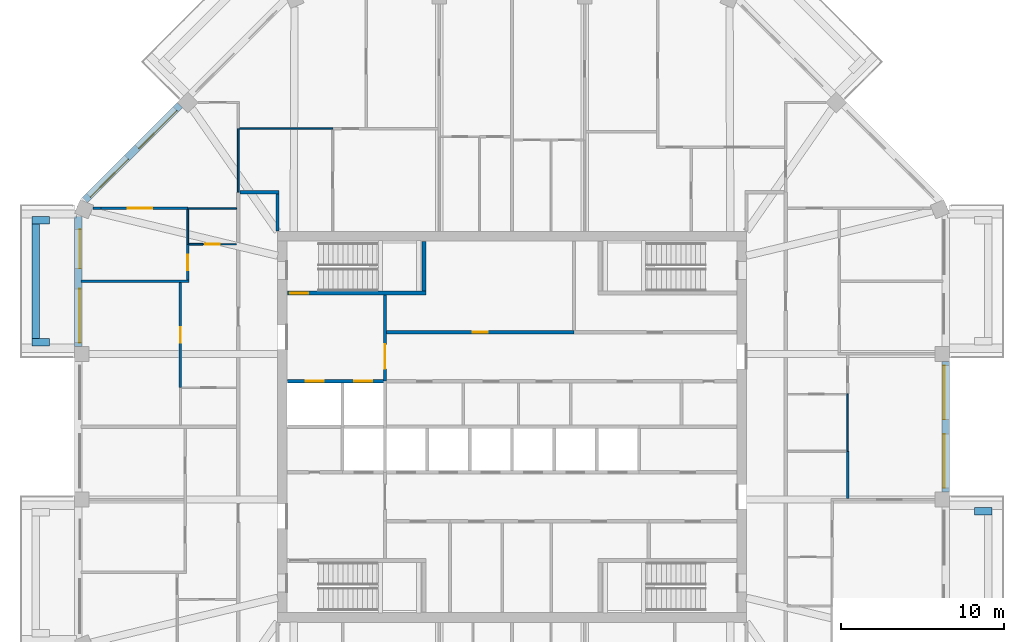
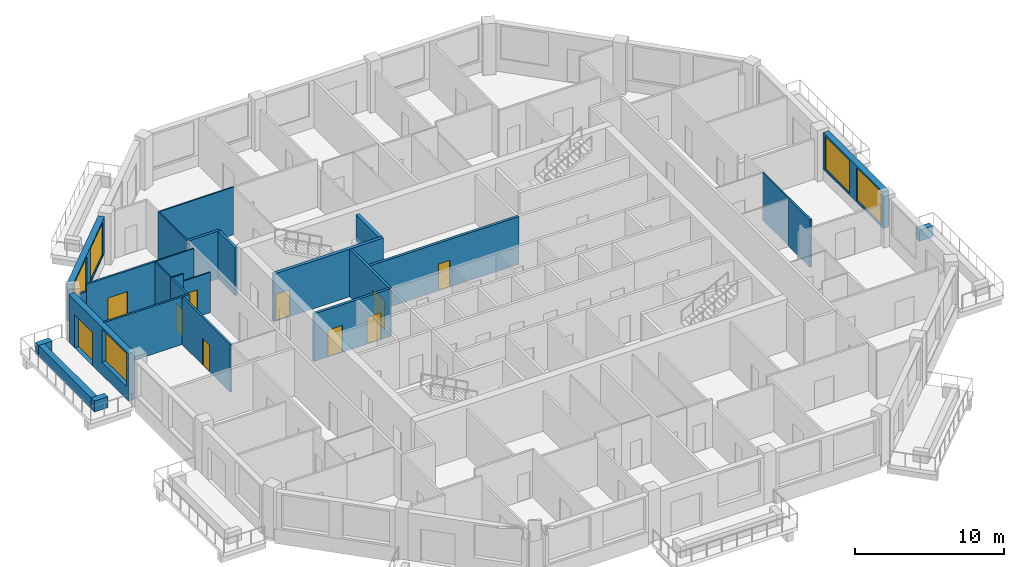
# One storey, part 7 of 12: 27 walls, 10 doors, 5 windows, 15 openings.
"""IFC4 building model written with IfcOpenShell, lengths in metres."""

from ifc_helpers import new_model, si_unit, direction, frame, frame_2d, origin, place, context, subcontext, project, spatial, rectangle, extrude, material, layer, layer_set, type_object, element, fill, save


model = new_model("IFC4")

# Units and contexts
model_context = context("Model", 3, precision=1e-05, world=origin(), true_north=direction((0.0, 1.0)))
body_context = subcontext(model_context, "Body", "Model", "MODEL_VIEW")
ifc_project = project(units=[si_unit("LENGTHUNIT", "METRE"), si_unit("AREAUNIT", "SQUARE_METRE"), si_unit("VOLUMEUNIT", "CUBIC_METRE"), si_unit("PLANEANGLEUNIT", "RADIAN"), si_unit("MASSUNIT", "GRAM", prefix="KILO")], contexts=[model_context])

# Site, building, storey
site_placement = place(None, origin())
site = spatial("IfcSite", under=ifc_project, at=site_placement, CompositionType="ELEMENT")
building_placement = place(site_placement, origin())
building = spatial("IfcBuilding", under=site, at=building_placement, Name="Msitu Wima Residences", CompositionType="ELEMENT")
storey_placement = place(building_placement, frame((0.0, 0.0, 310.5)))
storey = spatial("IfcBuildingStorey", under=building, at=storey_placement, Name="L72", CompositionType="ELEMENT", Elevation=310.5)

# Walls
ifc_material_1 = material(Name="Facing brick")
ifc_layer_1 = layer(ifc_material_1, 0.06494140625, Name="Facing brick")
ifc_material_2 = material(Name="Concrete C40/50", Category="concrete")
ifc_layer_2 = layer(ifc_material_2, 0.156005859375, Name="Concrete C40/50")
ifc_material_3 = material(Name="Waterproofing membrane")
ifc_layer_3 = layer(ifc_material_3, 0.00390625, Name="Waterproofing membrane")
ifc_material_4 = material(Name="Planting soil and planting")
ifc_layer_4 = layer(ifc_material_4, 0.22509765625, Name="Planting soil and planting")
ifc_layer_set_1 = layer_set([ifc_layer_1, ifc_layer_2, ifc_layer_3, ifc_layer_4], Name="Concrete C40/50")
wall_type_1 = type_object("IfcWallType", Name="Balcony planter PLANTER PL450", PredefinedType="USERDEFINED", material=ifc_layer_set_1)
wall_1_placement = place(storey_placement, frame((28.39990234375, -5.193603515625, 0.0), z_axis=(0.0, 0.0, 1.0), x_axis=(1.0, 0.0, 0.0)))
element("IfcWall", 1, at=wall_1_placement, inside=storey, type_object=wall_type_1, Name="Balcony planter E0 L72", ObjectType="PLANTER", PredefinedType="USERDEFINED", context=body_context, shape_type="SweptSolid", body=[
    extrude(rectangle(XDim=1.050048828125, YDim=0.449951171875, at=frame_2d((0.52490234375, 0.0))), origin(), (0.0, 0.0, 1.0), 0.89990234375),
])
wall_2_placement = place(storey_placement, frame((-29.22509765625, 12.455810546875, 0.0), z_axis=(0.0, 0.0, 1.0), x_axis=(0.0, -1.0, 0.0)))
element("IfcWall", 2, at=wall_2_placement, inside=storey, type_object=wall_type_1, Name="Balcony planter W0 L72", ObjectType="PLANTER", PredefinedType="USERDEFINED", context=body_context, shape_type="SweptSolid", body=[
    extrude(rectangle(XDim=7.037109375, YDim=0.449951171875, at=frame_2d((3.5185546875, 0.0))), origin(), (0.0, 0.0, 1.0), 0.89990234375),
])
for number, where, z_axis, x_axis, name in (
    (3, (-28.39990234375, 12.680908203125, 0.0), (0.0, 0.0, 1.0), (-1.0, 0.0, 0.0), "Balcony planter W0 L72"),
    (4, (-28.39990234375, 5.193603515625, 0.0), (0.0, 0.0, 1.0), (-1.0, 0.0, 0.0), "Balcony planter W0 L72"),
):
    element("IfcWall", number, at=place(storey_placement, frame(where, z_axis=z_axis, x_axis=x_axis)), inside=storey, type_object=wall_type_1, Name=name, ObjectType="PLANTER", PredefinedType="USERDEFINED", context=body_context, shape_type="SweptSolid", body=[
        extrude(rectangle(XDim=1.050048828125, YDim=0.449951171875, at=frame_2d((0.52490234375, 0.0))), origin(), (0.0, 0.0, 1.0), 0.89990234375),
    ])

# Wall, openings, windows
ifc_material_5 = material(Name="Brick (red buff mix)", Category="masonry")
ifc_layer_5 = layer(ifc_material_5, 0.449951171875)
ifc_layer_set_2 = layer_set([ifc_layer_5], Name="Brick (red buff mix)")
wall_type_2 = type_object("IfcWallType", Name="Brick infill wall BW450", PredefinedType="SOLIDWALL", material=ifc_layer_set_2)
wall_3_placement = place(storey_placement, frame((26.625, -4.0185546875, 0.89990234375), z_axis=(0.0, 0.0, 1.0), x_axis=(0.0, 1.0, 0.0)))
wall_3 = element("IfcWall", 5, at=wall_3_placement, inside=storey, type_object=wall_type_2, Name="Brick infill wall L72 E1", PredefinedType="SOLIDWALL", context=body_context, shape_type="SweptSolid", body=[
    extrude(rectangle(XDim=8.037109375, YDim=0.449951171875, at=frame_2d((4.0185546875, 0.0))), origin(), (0.0, 0.0, 1.0), 3.0),
])
opening_1_placement = place(wall_3_placement, frame((0.2685546875, 0.0, 0.14990234375)))
opening_1 = element("IfcOpeningElement", 6, at=opening_1_placement, cuts=wall_3, Name="Opening W72.002", PredefinedType="OPENING", context=body_context, shape_type="SweptSolid", body=[
    extrude(rectangle(XDim=3.300048828125, YDim=2.699951171875, at=frame_2d((1.64990234375, 1.35009765625))), frame((0.0, 0.23486328125, 0.0), z_axis=(0.0, -1.0, 0.0), x_axis=(1.0, 0.0, 0.0)), (0.0, 0.0, 1.0), 0.469970703125),
])
opening_2_placement = place(wall_3_placement, frame((4.46875, 0.0, 0.14990234375)))
opening_2 = element("IfcOpeningElement", 7, at=opening_2_placement, cuts=wall_3, Name="Opening W72.003", PredefinedType="OPENING", context=body_context, shape_type="SweptSolid", body=[
    extrude(rectangle(XDim=3.300048828125, YDim=2.699951171875, at=frame_2d((1.64990234375, 1.35009765625))), frame((0.0, 0.23486328125, 0.0), z_axis=(0.0, -1.0, 0.0), x_axis=(1.0, 0.0, 0.0)), (0.0, 0.0, 1.0), 0.469970703125),
])
ifc_material_6 = material(Name="Anodised aluminium, bronze finish, clear low-emissivity double glazing", Category="aluminium")
window_type = type_object("IfcWindowType", Name="Window W3300x2700", PartitioningType="DOUBLE_PANEL_VERTICAL", PredefinedType="WINDOW", material=ifc_material_6)
window_1_placement = place(opening_1_placement, origin())
window_1 = element("IfcWindow", 8, at=window_1_placement, inside=storey, type_object=window_type, Name="Window L72 E1.1", OverallHeight=2.699951171875, OverallWidth=3.300048828125, PartitioningType="SINGLE_PANEL", PredefinedType="WINDOW", context=body_context, shape_type="SweptSolid", body=[
    extrude(rectangle(XDim=3.300048828125, YDim=2.699951171875, at=frame_2d((1.64990234375, 1.35009765625))), frame((0.0, 0.135009765625, 0.0), z_axis=(0.0, -1.0, 0.0), x_axis=(1.0, 0.0, 0.0)), (0.0, 0.0, 1.0), 0.06005859375),
])
fill(opening_1, window_1)
window_2_placement = place(opening_2_placement, origin())
window_2 = element("IfcWindow", 9, at=window_2_placement, inside=storey, type_object=window_type, Name="Window L72 E1.2", OverallHeight=2.699951171875, OverallWidth=3.300048828125, PartitioningType="SINGLE_PANEL", PredefinedType="WINDOW", context=body_context, shape_type="SweptSolid", body=[
    extrude(rectangle(XDim=3.300048828125, YDim=2.699951171875, at=frame_2d((1.64990234375, 1.35009765625))), frame((0.0, 0.135009765625, 0.0), z_axis=(0.0, -1.0, 0.0), x_axis=(1.0, 0.0, 0.0)), (0.0, 0.0, 1.0), 0.06005859375),
])
fill(opening_2, window_2)

wall_4_placement = place(storey_placement, frame((-20.380126953125, 19.743896484375, 0.89990234375), z_axis=(0.0, 0.0, 1.0), x_axis=(-0.707106781187, -0.707106781187, 0.0)))
wall_4 = element("IfcWall", 10, at=wall_4_placement, inside=storey, type_object=wall_type_2, Name="Brick infill wall L72 NW1", PredefinedType="SOLIDWALL", context=body_context, shape_type="SweptSolid", body=[
    extrude(rectangle(XDim=8.251220703125, YDim=0.449951171875, at=frame_2d((4.12548828125, 0.0))), origin(), (0.0, 0.0, 1.0), 3.0),
])
opening_3_placement = place(wall_4_placement, frame((0.37548828125, 0.0, 0.14990234375)))
opening_3 = element("IfcOpeningElement", 11, at=opening_3_placement, cuts=wall_4, Name="Opening W72.014", PredefinedType="OPENING", context=body_context, shape_type="SweptSolid", body=[
    extrude(rectangle(XDim=3.300048828125, YDim=2.699951171875, at=frame_2d((1.64990234375, 1.35009765625))), frame((0.0, 0.23486328125, 0.0), z_axis=(0.0, -1.0, 0.0), x_axis=(1.0, 0.0, 0.0)), (0.0, 0.0, 1.0), 0.469970703125),
])
opening_4_placement = place(wall_4_placement, frame((4.57568359375, 0.0, 0.14990234375)))
opening_4 = element("IfcOpeningElement", 12, at=opening_4_placement, cuts=wall_4, Name="Opening W72.015", PredefinedType="OPENING", context=body_context, shape_type="SweptSolid", body=[
    extrude(rectangle(XDim=3.300048828125, YDim=2.699951171875, at=frame_2d((1.64990234375, 1.35009765625))), frame((0.0, 0.23486328125, 0.0), z_axis=(0.0, -1.0, 0.0), x_axis=(1.0, 0.0, 0.0)), (0.0, 0.0, 1.0), 0.469970703125),
])
window_3_placement = place(opening_3_placement, origin())
window_3 = element("IfcWindow", 13, at=window_3_placement, inside=storey, type_object=window_type, Name="Window L72 NW1.1", OverallHeight=2.699951171875, OverallWidth=3.300048828125, PartitioningType="SINGLE_PANEL", PredefinedType="WINDOW", context=body_context, shape_type="SweptSolid", body=[
    extrude(rectangle(XDim=3.300048828125, YDim=2.699951171875, at=frame_2d((1.64990234375, 1.35009765625))), frame((0.0, 0.135009765625, 0.0), z_axis=(0.0, -1.0, 0.0), x_axis=(1.0, 0.0, 0.0)), (0.0, 0.0, 1.0), 0.06005859375),
])
fill(opening_3, window_3)
window_4_placement = place(opening_4_placement, origin())
window_4 = element("IfcWindow", 14, at=window_4_placement, inside=storey, type_object=window_type, Name="Window L72 NW1.2", OverallHeight=2.699951171875, OverallWidth=3.300048828125, PartitioningType="SINGLE_PANEL", PredefinedType="WINDOW", context=body_context, shape_type="SweptSolid", body=[
    extrude(rectangle(XDim=3.300048828125, YDim=2.699951171875, at=frame_2d((1.64990234375, 1.35009765625))), frame((0.0, 0.135009765625, 0.0), z_axis=(0.0, -1.0, 0.0), x_axis=(1.0, 0.0, 0.0)), (0.0, 0.0, 1.0), 0.06005859375),
])
fill(opening_4, window_4)

# Wall, openings, door, window
wall_5_placement = place(storey_placement, frame((-26.625, 12.918701171875, 0.0), z_axis=(0.0, 0.0, 1.0), x_axis=(0.0, -1.0, 0.0)))
wall_5 = element("IfcWall", 15, at=wall_5_placement, inside=storey, type_object=wall_type_2, Name="Brick infill wall L72 W0", PredefinedType="SOLIDWALL", context=body_context, shape_type="SweptSolid", body=[
    extrude(rectangle(XDim=8.0, YDim=0.449951171875, at=frame_2d((4.0, 0.0))), origin(), (0.0, 0.0, 1.0), 3.89990234375),
])
opening_5_placement = place(wall_5_placement, frame((0.800048828125, 0.0, 0.0)))
opening_5 = element("IfcOpeningElement", 16, at=opening_5_placement, cuts=wall_5, Name="Opening D72.009", PredefinedType="OPENING", context=body_context, shape_type="SweptSolid", body=[
    extrude(rectangle(XDim=2.39990234375, YDim=2.699951171875, at=frame_2d((1.199951171875, 1.35009765625))), frame((0.0, 0.23486328125, 0.0), z_axis=(0.0, -1.0, 0.0), x_axis=(1.0, 0.0, 0.0)), (0.0, 0.0, 1.0), 0.469970703125),
])
opening_6_placement = place(wall_5_placement, frame((4.4501953125, 0.0, 1.050048828125)))
opening_6 = element("IfcOpeningElement", 17, at=opening_6_placement, cuts=wall_5, Name="Opening W72.027", PredefinedType="OPENING", context=body_context, shape_type="SweptSolid", body=[
    extrude(rectangle(XDim=3.300048828125, YDim=2.699951171875, at=frame_2d((1.64990234375, 1.35009765625))), frame((0.0, 0.23486328125, 0.0), z_axis=(0.0, -1.0, 0.0), x_axis=(1.0, 0.0, 0.0)), (0.0, 0.0, 1.0), 0.469970703125),
])
door_type_1 = type_object("IfcDoorType", Name="Balcony door D2400x2700", OperationType="SLIDING_TO_LEFT", PredefinedType="DOOR", material=ifc_material_6)
door_1_placement = place(opening_5_placement, origin())
door_1 = element("IfcDoor", 18, at=door_1_placement, inside=storey, type_object=door_type_1, Name="Balcony door L72 W0", OperationType="SINGLE_SWING_LEFT", OverallHeight=2.699951171875, OverallWidth=2.39990234375, PredefinedType="DOOR", context=body_context, shape_type="SweptSolid", body=[
    extrude(rectangle(XDim=2.39990234375, YDim=2.699951171875, at=frame_2d((1.199951171875, 1.35009765625))), frame((0.0, 0.1298828125, 0.0), z_axis=(0.0, -1.0, 0.0), x_axis=(1.0, 0.0, 0.0)), (0.0, 0.0, 1.0), 0.050048828125),
])
fill(opening_5, door_1)
window_5_placement = place(opening_6_placement, origin())
window_5 = element("IfcWindow", 19, at=window_5_placement, inside=storey, type_object=window_type, Name="Window L72 W0.2", OverallHeight=2.699951171875, OverallWidth=3.300048828125, PartitioningType="SINGLE_PANEL", PredefinedType="WINDOW", context=body_context, shape_type="SweptSolid", body=[
    extrude(rectangle(XDim=3.300048828125, YDim=2.699951171875, at=frame_2d((1.64990234375, 1.35009765625))), frame((0.0, 0.135009765625, 0.0), z_axis=(0.0, -1.0, 0.0), x_axis=(1.0, 0.0, 0.0)), (0.0, 0.0, 1.0), 0.06005859375),
])
fill(opening_6, window_5)

# Walls
ifc_material_7 = material(Name="Plaster")
ifc_layer_6 = layer(ifc_material_7, 0.011962890625, Name="Plaster")
ifc_material_8 = material(Name="Concrete blockwork", Category="masonry")
ifc_layer_7 = layer(ifc_material_8, 0.176025390625, Name="Concrete blockwork")
ifc_layer_8 = layer(ifc_material_7, 0.011962890625, Name="Plaster")
ifc_layer_set_3 = layer_set([ifc_layer_6, ifc_layer_7, ifc_layer_8], Name="Concrete blockwork")
wall_type_3 = type_object("IfcWallType", Name="Corridor wall FW200", PredefinedType="PARTITIONING", material=ifc_layer_set_3)
wall_6_placement = place(storey_placement, frame((-16.699951171875, 14.39990234375, 0.0), z_axis=(0.0, 0.0, 1.0), x_axis=(1.0, 0.0, 0.0)))
element("IfcWall", 20, at=wall_6_placement, inside=storey, type_object=wall_type_3, Name="Corridor wall", PredefinedType="PARTITIONING", context=body_context, shape_type="SweptSolid", body=[
    extrude(rectangle(XDim=2.39990234375, YDim=0.199951171875, at=frame_2d((1.199951171875, 0.0))), origin(), (0.0, 0.0, 1.0), 3.89990234375),
])
wall_7_placement = place(storey_placement, frame((-14.39990234375, 12.030029296875, 0.0), z_axis=(0.0, 0.0, 1.0), x_axis=(0.0, 1.0, 0.0)))
element("IfcWall", 21, at=wall_7_placement, inside=storey, type_object=wall_type_3, Name="Corridor wall", PredefinedType="PARTITIONING", context=body_context, shape_type="SweptSolid", body=[
    extrude(rectangle(XDim=2.27001953125, YDim=0.199951171875, at=frame_2d((1.135009765625, 0.0))), origin(), (0.0, 0.0, 1.0), 3.89990234375),
])

# Wall, opening, door
wall_8_placement = place(storey_placement, frame((-7.800048828125, 2.800048828125, 0.0), z_axis=(0.0, 0.0, 1.0), x_axis=(0.0, 1.0, 0.0)))
wall_8 = element("IfcWall", 22, at=wall_8_placement, inside=storey, type_object=wall_type_3, Name="Corridor wall", PredefinedType="PARTITIONING", context=body_context, shape_type="SweptSolid", body=[
    extrude(rectangle(XDim=5.27490234375, YDim=0.199951171875, at=frame_2d((2.637451171875, 0.0))), origin(), (0.0, 0.0, 1.0), 3.89990234375),
])
opening_7_placement = place(wall_8_placement, frame((0.75, 0.0, 0.0)))
opening_7 = element("IfcOpeningElement", 23, at=opening_7_placement, cuts=wall_8, Name="Opening D72.066", PredefinedType="OPENING", context=body_context, shape_type="SweptSolid", body=[
    extrude(rectangle(XDim=1.5, YDim=2.39990234375, at=frame_2d((0.75, 1.199951171875))), frame((0.0, 0.10986328125, 0.0), z_axis=(0.0, -1.0, 0.0), x_axis=(1.0, 0.0, 0.0)), (0.0, 0.0, 1.0), 0.219970703125),
])
ifc_material_9 = material(Name="Steel framed glazed door, fire resisting", Category="steel")
door_type_2 = type_object("IfcDoorType", Name="Lobby door D07 1500x2400", OperationType="DOUBLE_DOOR_SINGLE_SWING", PredefinedType="DOOR", material=ifc_material_9)
door_2_placement = place(opening_7_placement, origin())
door_2 = element("IfcDoor", 24, at=door_2_placement, inside=storey, type_object=door_type_2, Name="Lobby door", OperationType="DOUBLE_DOOR_SINGLE_SWING", OverallHeight=2.39990234375, OverallWidth=1.5, PredefinedType="DOOR", context=body_context, shape_type="SweptSolid", body=[
    extrude(rectangle(XDim=1.5, YDim=2.39990234375, at=frame_2d((0.75, 1.199951171875))), frame((0.0, 0.02490234375, 0.0), z_axis=(0.0, -1.0, 0.0), x_axis=(1.0, 0.0, 0.0)), (0.0, 0.0, 1.0), 0.050048828125),
])
fill(opening_7, door_2)

wall_9_placement = place(storey_placement, frame((-7.699951171875, 5.800048828125, 0.0), z_axis=(0.0, 0.0, 1.0), x_axis=(1.0, 0.0, 0.0)))
wall_9 = element("IfcWall", 25, at=wall_9_placement, inside=storey, type_object=wall_type_3, Name="Corridor wall", PredefinedType="PARTITIONING", context=body_context, shape_type="SweptSolid", body=[
    extrude(rectangle(XDim=11.52001953125, YDim=0.199951171875, at=frame_2d((5.760009765625, 0.0))), origin(), (0.0, 0.0, 1.0), 3.89990234375),
])
opening_8_placement = place(wall_9_placement, frame((5.300048828125, 0.0, 0.0)))
opening_8 = element("IfcOpeningElement", 26, at=opening_8_placement, cuts=wall_9, Name="Opening D72.069", PredefinedType="OPENING", context=body_context, shape_type="SweptSolid", body=[
    extrude(rectangle(XDim=0.89990234375, YDim=2.199951171875, at=frame_2d((0.449951171875, 1.10009765625))), frame((0.0, 0.10986328125, 0.0), z_axis=(0.0, -1.0, 0.0), x_axis=(1.0, 0.0, 0.0)), (0.0, 0.0, 1.0), 0.219970703125),
])
ifc_material_10 = material(Name="Timber flush door", Category="wood")
door_type_3 = type_object("IfcDoorType", Name="Service door D05 900x2200", OperationType="SINGLE_SWING_LEFT", PredefinedType="DOOR", material=ifc_material_10)
door_3_placement = place(opening_8_placement, origin())
door_3 = element("IfcDoor", 27, at=door_3_placement, inside=storey, type_object=door_type_3, Name="Service door", OperationType="SINGLE_SWING_LEFT", OverallHeight=2.199951171875, OverallWidth=0.89990234375, PredefinedType="DOOR", context=body_context, shape_type="SweptSolid", body=[
    extrude(rectangle(XDim=0.89990234375, YDim=2.199951171875, at=frame_2d((0.449951171875, 1.10009765625))), frame((0.0, 0.02490234375, 0.0), z_axis=(0.0, -1.0, 0.0), x_axis=(1.0, 0.0, 0.0)), (0.0, 0.0, 1.0), 0.050048828125),
])
fill(opening_8, door_3)

# Walls
ifc_layer_9 = layer(ifc_material_7, 0.011962890625, Name="Plaster")
ifc_layer_10 = layer(ifc_material_8, 0.1259765625, Name="Concrete blockwork")
ifc_layer_11 = layer(ifc_material_7, 0.011962890625, Name="Plaster")
ifc_layer_set_4 = layer_set([ifc_layer_9, ifc_layer_10, ifc_layer_11], Name="Concrete blockwork")
wall_type_4 = type_object("IfcWallType", Name="Partition PW150", PredefinedType="PARTITIONING", material=ifc_layer_set_4)
wall_10_placement = place(storey_placement, frame((-26.455078125, 8.937255859375, 0.0), z_axis=(0.0, 0.0, 1.0), x_axis=(1.0, 0.0, 0.0)))
element("IfcWall", 28, at=wall_10_placement, inside=storey, type_object=wall_type_4, Name="Partition", PredefinedType="PARTITIONING", context=body_context, shape_type="SweptSolid", body=[
    extrude(rectangle(XDim=6.630126953125, YDim=0.14990234375, at=frame_2d((3.31494140625, 0.0))), origin(), (0.0, 0.0, 1.0), 3.89990234375),
])
wall_11_placement = place(storey_placement, frame((-25.731201171875, 13.406005859375, 0.0), z_axis=(0.0, 0.0, 1.0), x_axis=(1.0, 0.0, 0.0)))
element("IfcWall", 29, at=wall_11_placement, inside=storey, type_object=wall_type_4, Name="Partition", PredefinedType="PARTITIONING", context=body_context, shape_type="SweptSolid", body=[
    extrude(rectangle(XDim=0.507080078125, YDim=0.14990234375, at=frame_2d((0.25341796875, 0.0))), origin(), (0.0, 0.0, 1.0), 3.300048828125),
])

# Wall, opening, door
wall_12_placement = place(storey_placement, frame((-25.22412109375, 13.406005859375, 0.0), z_axis=(0.0, 0.0, 1.0), x_axis=(1.0, 0.0, 0.0)))
wall_12 = element("IfcWall", 30, at=wall_12_placement, inside=storey, type_object=wall_type_4, Name="Partition", PredefinedType="PARTITIONING", context=body_context, shape_type="SweptSolid", body=[
    extrude(rectangle(XDim=5.32421875, YDim=0.14990234375, at=frame_2d((2.662109375, 0.0))), origin(), (0.0, 0.0, 1.0), 3.89990234375),
])
opening_9_placement = place(wall_12_placement, frame((1.642822265625, 0.0, 0.0)))
opening_9 = element("IfcOpeningElement", 31, at=opening_9_placement, cuts=wall_12, Name="Opening D72.045", PredefinedType="OPENING", context=body_context, shape_type="SweptSolid", body=[
    extrude(rectangle(XDim=1.5, YDim=2.199951171875, at=frame_2d((0.75, 1.10009765625))), frame((0.0, 0.0849609375, 0.0), z_axis=(0.0, -1.0, 0.0), x_axis=(1.0, 0.0, 0.0)), (0.0, 0.0, 1.0), 0.169921875),
])
ifc_material_11 = material(Name="Timber double door", Category="wood")
door_type_4 = type_object("IfcDoorType", Name="Double door D04 1500x2200", OperationType="DOUBLE_DOOR_SINGLE_SWING", PredefinedType="DOOR", material=ifc_material_11)
door_4_placement = place(opening_9_placement, origin())
door_4 = element("IfcDoor", 32, at=door_4_placement, inside=storey, type_object=door_type_4, Name="Double door", OperationType="DOUBLE_DOOR_SINGLE_SWING", OverallHeight=2.199951171875, OverallWidth=1.5, PredefinedType="DOOR", context=body_context, shape_type="SweptSolid", body=[
    extrude(rectangle(XDim=1.5, YDim=2.199951171875, at=frame_2d((0.75, 1.10009765625))), frame((0.0, 0.02490234375, 0.0), z_axis=(0.0, -1.0, 0.0), x_axis=(1.0, 0.0, 0.0)), (0.0, 0.0, 1.0), 0.050048828125),
])
fill(opening_9, door_4)

wall_13_placement = place(storey_placement, frame((-20.35009765625, 2.39990234375, 0.0), z_axis=(0.0, 0.0, 1.0), x_axis=(0.0, 1.0, 0.0)))
wall_13 = element("IfcWall", 33, at=wall_13_placement, inside=storey, type_object=wall_type_4, Name="Partition", PredefinedType="PARTITIONING", context=body_context, shape_type="SweptSolid", body=[
    extrude(rectangle(XDim=6.46240234375, YDim=0.14990234375, at=frame_2d((3.231201171875, 0.0))), origin(), (0.0, 0.0, 1.0), 3.89990234375),
])
opening_10_placement = place(wall_13_placement, frame((2.75, 0.0, 0.0)))
opening_10 = element("IfcOpeningElement", 34, at=opening_10_placement, cuts=wall_13, Name="Opening D72.043", PredefinedType="OPENING", context=body_context, shape_type="SweptSolid", body=[
    extrude(rectangle(XDim=0.949951171875, YDim=2.199951171875, at=frame_2d((0.47509765625, 1.10009765625))), frame((0.0, 0.0849609375, 0.0), z_axis=(0.0, -1.0, 0.0), x_axis=(1.0, 0.0, 0.0)), (0.0, 0.0, 1.0), 0.169921875),
])
door_type_5 = type_object("IfcDoorType", Name="Room door D12 950x2200", OperationType="SINGLE_SWING_LEFT", PredefinedType="DOOR", material=ifc_material_10)
door_5_placement = place(opening_10_placement, origin())
door_5 = element("IfcDoor", 35, at=door_5_placement, inside=storey, type_object=door_type_5, Name="Room door", OperationType="SINGLE_SWING_RIGHT", OverallHeight=2.199951171875, OverallWidth=0.949951171875, PredefinedType="DOOR", context=body_context, shape_type="SweptSolid", body=[
    extrude(rectangle(XDim=0.949951171875, YDim=2.199951171875, at=frame_2d((0.47509765625, 1.10009765625))), frame((0.0, 0.02490234375, 0.0), z_axis=(0.0, -1.0, 0.0), x_axis=(1.0, 0.0, 0.0)), (0.0, 0.0, 1.0), 0.050048828125),
])
fill(opening_10, door_5)

wall_14_placement = place(storey_placement, frame((-19.89990234375, 9.01220703125, 0.0), z_axis=(0.0, 0.0, 1.0), x_axis=(0.0, 1.0, 0.0)))
wall_14 = element("IfcWall", 36, at=wall_14_placement, inside=storey, type_object=wall_type_4, Name="Partition", PredefinedType="PARTITIONING", context=body_context, shape_type="SweptSolid", body=[
    extrude(rectangle(XDim=2.187744140625, YDim=0.14990234375, at=frame_2d((1.09375, 0.0))), origin(), (0.0, 0.0, 1.0), 3.89990234375),
])
opening_11_placement = place(wall_14_placement, frame((0.60009765625, 0.0, 0.0)))
opening_11 = element("IfcOpeningElement", 37, at=opening_11_placement, cuts=wall_14, Name="Opening D72.044", PredefinedType="OPENING", context=body_context, shape_type="SweptSolid", body=[
    extrude(rectangle(XDim=0.949951171875, YDim=2.199951171875, at=frame_2d((0.47509765625, 1.10009765625))), frame((0.0, 0.0849609375, 0.0), z_axis=(0.0, -1.0, 0.0), x_axis=(1.0, 0.0, 0.0)), (0.0, 0.0, 1.0), 0.169921875),
])
door_6_placement = place(opening_11_placement, origin())
door_6 = element("IfcDoor", 38, at=door_6_placement, inside=storey, type_object=door_type_5, Name="Room door", OperationType="SINGLE_SWING_LEFT", OverallHeight=2.199951171875, OverallWidth=0.949951171875, PredefinedType="DOOR", context=body_context, shape_type="SweptSolid", body=[
    extrude(rectangle(XDim=0.949951171875, YDim=2.199951171875, at=frame_2d((0.47509765625, 1.10009765625))), frame((0.0, 0.02490234375, 0.0), z_axis=(0.0, -1.0, 0.0), x_axis=(1.0, 0.0, 0.0)), (0.0, 0.0, 1.0), 0.050048828125),
])
fill(opening_11, door_6)

# Wall
wall_15_placement = place(storey_placement, frame((20.60009765625, -4.3935546875, 0.0), z_axis=(0.0, 0.0, 1.0), x_axis=(0.0, 1.0, 0.0)))
element("IfcWall", 39, at=wall_15_placement, inside=storey, type_object=wall_type_4, Name="Partition", PredefinedType="PARTITIONING", context=body_context, shape_type="SweptSolid", body=[
    extrude(rectangle(XDim=2.8935546875, YDim=0.14990234375, at=frame_2d((1.44677734375, 0.0))), origin(), (0.0, 0.0, 1.0), 3.89990234375),
])

# Wall, openings, doors
ifc_material_12 = material(Name="Fire-rated board")
ifc_layer_12 = layer(ifc_material_12, 0.02490234375, Name="Fire-rated board")
ifc_material_13 = material(Name="Light-gauge stud framing with mineral wool")
ifc_layer_13 = layer(ifc_material_13, 0.14990234375, Name="Light-gauge stud framing with mineral wool")
ifc_layer_14 = layer(ifc_material_12, 0.02490234375, Name="Fire-rated board")
ifc_layer_set_5 = layer_set([ifc_layer_12, ifc_layer_13, ifc_layer_14], Name="Light-gauge stud framing with mineral wool")
wall_type_5 = type_object("IfcWallType", Name="Shaft wall SH200", PredefinedType="PARTITIONING", material=ifc_layer_set_5)
wall_16_placement = place(storey_placement, frame((-13.77001953125, 2.800048828125, 0.0), z_axis=(0.0, 0.0, 1.0), x_axis=(1.0, 0.0, 0.0)))
wall_16 = element("IfcWall", 40, at=wall_16_placement, inside=storey, type_object=wall_type_5, Name="Shaft wall", PredefinedType="PARTITIONING", context=body_context, shape_type="SweptSolid", body=[
    extrude(rectangle(XDim=5.949951171875, YDim=0.199951171875, at=frame_2d((2.97509765625, 0.0))), origin(), (0.0, 0.0, 1.0), 3.89990234375),
])
opening_12_placement = place(wall_16_placement, frame((1.10009765625, 0.0, 0.0)))
opening_12 = element("IfcOpeningElement", 41, at=opening_12_placement, cuts=wall_16, Name="Opening LD", PredefinedType="OPENING", context=body_context, shape_type="SweptSolid", body=[
    extrude(rectangle(XDim=1.10009765625, YDim=2.199951171875, at=frame_2d((0.550048828125, 1.10009765625))), frame((0.0, 0.10986328125, 0.0), z_axis=(0.0, -1.0, 0.0), x_axis=(1.0, 0.0, 0.0)), (0.0, 0.0, 1.0), 0.219970703125),
])
opening_13_placement = place(wall_16_placement, frame((4.10009765625, 0.0, 0.0)))
opening_13 = element("IfcOpeningElement", 42, at=opening_13_placement, cuts=wall_16, Name="Opening LD", PredefinedType="OPENING", context=body_context, shape_type="SweptSolid", body=[
    extrude(rectangle(XDim=1.10009765625, YDim=2.199951171875, at=frame_2d((0.550048828125, 1.10009765625))), frame((0.0, 0.10986328125, 0.0), z_axis=(0.0, -1.0, 0.0), x_axis=(1.0, 0.0, 0.0)), (0.0, 0.0, 1.0), 0.219970703125),
])
ifc_material_14 = material(Name="Stainless steel centre-opening landing door, rated", Category="steel")
door_type_6 = type_object("IfcDoorType", Name="Lift landing door LD 1100x2200", OperationType="DOUBLE_DOOR_SLIDING", PredefinedType="DOOR", material=ifc_material_14)
door_7_placement = place(opening_12_placement, origin())
door_7 = element("IfcDoor", 43, at=door_7_placement, inside=storey, type_object=door_type_6, Name="Lift landing door LD1", OperationType="DOUBLE_DOOR_SLIDING", OverallHeight=2.199951171875, OverallWidth=1.10009765625, PredefinedType="DOOR", context=body_context, shape_type="SweptSolid", body=[
    extrude(rectangle(XDim=1.10009765625, YDim=2.199951171875, at=frame_2d((0.550048828125, 1.10009765625))), frame((0.0, 0.02490234375, 0.0), z_axis=(0.0, -1.0, 0.0), x_axis=(1.0, 0.0, 0.0)), (0.0, 0.0, 1.0), 0.050048828125),
])
fill(opening_12, door_7)
door_8_placement = place(opening_13_placement, origin())
door_8 = element("IfcDoor", 44, at=door_8_placement, inside=storey, type_object=door_type_6, Name="Lift landing door LD2", OperationType="DOUBLE_DOOR_SLIDING", OverallHeight=2.199951171875, OverallWidth=1.10009765625, PredefinedType="DOOR", context=body_context, shape_type="SweptSolid", body=[
    extrude(rectangle(XDim=1.10009765625, YDim=2.199951171875, at=frame_2d((0.550048828125, 1.10009765625))), frame((0.0, 0.02490234375, 0.0), z_axis=(0.0, -1.0, 0.0), x_axis=(1.0, 0.0, 0.0)), (0.0, 0.0, 1.0), 0.050048828125),
])
fill(opening_13, door_8)

# Wall, opening, door
ifc_material_15 = material(Name="Concrete C50/60", Category="concrete")
ifc_layer_15 = layer(ifc_material_15, 0.25)
ifc_layer_set_6 = layer_set([ifc_layer_15], Name="Concrete C50/60")
wall_type_6 = type_object("IfcWallType", Name="Stair enclosure wall SW250", PredefinedType="SHEAR", material=ifc_layer_set_6)
wall_17_placement = place(storey_placement, frame((-13.77001953125, 8.199951171875, 0.0), z_axis=(0.0, 0.0, 1.0), x_axis=(1.0, 0.0, 0.0)))
wall_17 = element("IfcWall", 45, at=wall_17_placement, inside=storey, type_object=wall_type_6, Name="Stair enclosure wall", PredefinedType="SHEAR", context=body_context, shape_type="SweptSolid", body=[
    extrude(rectangle(XDim=8.4951171875, YDim=0.25, at=frame_2d((4.24755859375, 0.0))), origin(), (0.0, 0.0, 1.0), 3.89990234375),
])
opening_14_placement = place(wall_17_placement, frame((0.14990234375, 0.0, 0.0)))
opening_14 = element("IfcOpeningElement", 46, at=opening_14_placement, cuts=wall_17, Name="Opening D72.085", PredefinedType="OPENING", context=body_context, shape_type="SweptSolid", body=[
    extrude(rectangle(XDim=1.10009765625, YDim=2.199951171875, at=frame_2d((0.550048828125, 1.10009765625))), frame((0.0, 0.135009765625, 0.0), z_axis=(0.0, -1.0, 0.0), x_axis=(1.0, 0.0, 0.0)), (0.0, 0.0, 1.0), 0.27001953125),
])
ifc_material_16 = material(Name="Steel door, fire resisting, panic bar", Category="steel")
door_type_7 = type_object("IfcDoorType", Name="Stair door D06 1100x2200", OperationType="SINGLE_SWING_LEFT", PredefinedType="DOOR", material=ifc_material_16)
door_9_placement = place(opening_14_placement, origin())
door_9 = element("IfcDoor", 47, at=door_9_placement, inside=storey, type_object=door_type_7, Name="Stair door", OperationType="SINGLE_SWING_LEFT", OverallHeight=2.199951171875, OverallWidth=1.10009765625, PredefinedType="DOOR", context=body_context, shape_type="SweptSolid", body=[
    extrude(rectangle(XDim=1.10009765625, YDim=2.199951171875, at=frame_2d((0.550048828125, 1.10009765625))), frame((0.0, 0.02490234375, 0.0), z_axis=(0.0, -1.0, 0.0), x_axis=(1.0, 0.0, 0.0)), (0.0, 0.0, 1.0), 0.050048828125),
])
fill(opening_14, door_9)

# Walls
wall_18_placement = place(storey_placement, frame((-5.39990234375, 8.324951171875, 0.0), z_axis=(0.0, 0.0, 1.0), x_axis=(0.0, 1.0, 0.0)))
element("IfcWall", 48, at=wall_18_placement, inside=storey, type_object=wall_type_6, Name="Stair enclosure wall", PredefinedType="SHEAR", context=body_context, shape_type="SweptSolid", body=[
    extrude(rectangle(XDim=3.045166015625, YDim=0.25, at=frame_2d((1.5224609375, 0.0))), origin(), (0.0, 0.0, 1.0), 3.89990234375),
])
ifc_material_17 = material(Name="Ceramic tiles")
ifc_layer_16 = layer(ifc_material_17, 0.008056640625, Name="Ceramic tiles")
ifc_material_18 = material(Name="Moisture-resistant board")
ifc_layer_17 = layer(ifc_material_18, 0.012451171875, Name="Moisture-resistant board")
ifc_layer_18 = layer(ifc_material_13, 0.06689453125, Name="Light-gauge stud framing with mineral wool")
ifc_layer_19 = layer(ifc_material_18, 0.012451171875, Name="Moisture-resistant board")
ifc_layer_set_7 = layer_set([ifc_layer_16, ifc_layer_17, ifc_layer_18, ifc_layer_19], Name="Light-gauge stud framing with mineral wool")
wall_type_7 = type_object("IfcWallType", Name="Wet wall PW100", PredefinedType="PARTITIONING", material=ifc_layer_set_7)
wall_19_placement = place(storey_placement, frame((-19.89990234375, 11.199951171875, 0.0), z_axis=(0.0, 0.0, 1.0), x_axis=(0.0, 1.0, 0.0)))
element("IfcWall", 49, at=wall_19_placement, inside=storey, type_object=wall_type_7, Name="Wet wall", PredefinedType="PARTITIONING", context=body_context, shape_type="SweptSolid", body=[
    extrude(rectangle(XDim=2.130859375, YDim=0.10009765625, at=frame_2d((1.0654296875, 0.0))), origin(), (0.0, 0.0, 1.0), 3.89990234375),
])
wall_20_placement = place(storey_placement, frame((-19.824951171875, 11.199951171875, 0.0), z_axis=(0.0, 0.0, 1.0), x_axis=(1.0, 0.0, 0.0)))
element("IfcWall", 50, at=wall_20_placement, inside=storey, type_object=wall_type_7, Name="Wet wall", PredefinedType="PARTITIONING", context=body_context, shape_type="SweptSolid", body=[
    extrude(rectangle(XDim=0.849853515625, YDim=0.10009765625, at=frame_2d((0.4248046875, 0.0))), origin(), (0.0, 0.0, 1.0), 3.89990234375),
])

# Wall, opening, door
wall_21_placement = place(storey_placement, frame((-18.97509765625, 11.199951171875, 0.0), z_axis=(0.0, 0.0, 1.0), x_axis=(1.0, 0.0, 0.0)))
wall_21 = element("IfcWall", 51, at=wall_21_placement, inside=storey, type_object=wall_type_7, Name="Wet wall", PredefinedType="PARTITIONING", context=body_context, shape_type="SweptSolid", body=[
    extrude(rectangle(XDim=2.0751953125, YDim=0.10009765625, at=frame_2d((1.03759765625, 0.0))), origin(), (0.0, 0.0, 1.0), 3.300048828125),
])
opening_15_placement = place(wall_21_placement, frame((0.14990234375, 0.0, 0.0)))
opening_15 = element("IfcOpeningElement", 52, at=opening_15_placement, cuts=wall_21, Name="Opening D72.042", PredefinedType="OPENING", context=body_context, shape_type="SweptSolid", body=[
    extrude(rectangle(XDim=0.89990234375, YDim=2.199951171875, at=frame_2d((0.449951171875, 1.10009765625))), frame((0.0, 0.06005859375, 0.0), z_axis=(0.0, -1.0, 0.0), x_axis=(1.0, 0.0, 0.0)), (0.0, 0.0, 1.0), 0.1201171875),
])
ifc_material_19 = material(Name="Timber flush door, moisture resistant", Category="wood")
door_type_8 = type_object("IfcDoorType", Name="Bathroom door D03 900x2200", OperationType="SINGLE_SWING_LEFT", PredefinedType="DOOR", material=ifc_material_19)
door_10_placement = place(opening_15_placement, origin())
door_10 = element("IfcDoor", 53, at=door_10_placement, inside=storey, type_object=door_type_8, Name="Bathroom door", OperationType="SINGLE_SWING_LEFT", OverallHeight=2.199951171875, OverallWidth=0.89990234375, PredefinedType="DOOR", context=body_context, shape_type="SweptSolid", body=[
    extrude(rectangle(XDim=0.89990234375, YDim=2.199951171875, at=frame_2d((0.449951171875, 1.10009765625))), frame((0.0, 0.02490234375, 0.0), z_axis=(0.0, -1.0, 0.0), x_axis=(1.0, 0.0, 0.0)), (0.0, 0.0, 1.0), 0.050048828125),
])
fill(opening_15, door_10)

# Walls
wall_22_placement = place(storey_placement, frame((-19.89990234375, 13.406005859375, 0.0), z_axis=(0.0, 0.0, 1.0), x_axis=(1.0, 0.0, 0.0)))
element("IfcWall", 54, at=wall_22_placement, inside=storey, type_object=wall_type_7, Name="Wet wall", PredefinedType="PARTITIONING", context=body_context, shape_type="SweptSolid", body=[
    extrude(rectangle(XDim=3.0, YDim=0.10009765625, at=frame_2d((1.5, 0.0))), origin(), (0.0, 0.0, 1.0), 3.89990234375),
])
wall_23_placement = place(storey_placement, frame((-16.800048828125, 14.39990234375, 0.0), z_axis=(0.0, 0.0, 1.0), x_axis=(0.0, 1.0, 0.0)))
element("IfcWall", 55, at=wall_23_placement, inside=storey, type_object=wall_type_7, Name="Wet wall", PredefinedType="PARTITIONING", context=body_context, shape_type="SweptSolid", body=[
    extrude(rectangle(XDim=3.900146484375, YDim=0.10009765625, at=frame_2d((1.9501953125, 0.0))), origin(), (0.0, 0.0, 1.0), 3.89990234375),
])
wall_24_placement = place(storey_placement, frame((-16.72509765625, 18.300048828125, 0.0), z_axis=(0.0, 0.0, 1.0), x_axis=(1.0, 0.0, 0.0)))
element("IfcWall", 56, at=wall_24_placement, inside=storey, type_object=wall_type_7, Name="Wet wall", PredefinedType="PARTITIONING", context=body_context, shape_type="SweptSolid", body=[
    extrude(rectangle(XDim=5.72509765625, YDim=0.10009765625, at=frame_2d((2.862548828125, 0.0))), origin(), (0.0, 0.0, 1.0), 3.89990234375),
])
wall_25_placement = place(storey_placement, frame((20.60009765625, -1.5, 0.0), z_axis=(0.0, 0.0, 1.0), x_axis=(0.0, 1.0, 0.0)))
element("IfcWall", 57, at=wall_25_placement, inside=storey, type_object=wall_type_7, Name="Wet wall", PredefinedType="PARTITIONING", context=body_context, shape_type="SweptSolid", body=[
    extrude(rectangle(XDim=3.52001953125, YDim=0.10009765625, at=frame_2d((1.760009765625, 0.0))), origin(), (0.0, 0.0, 1.0), 3.89990234375),
])

save(model, "model.ifc")
